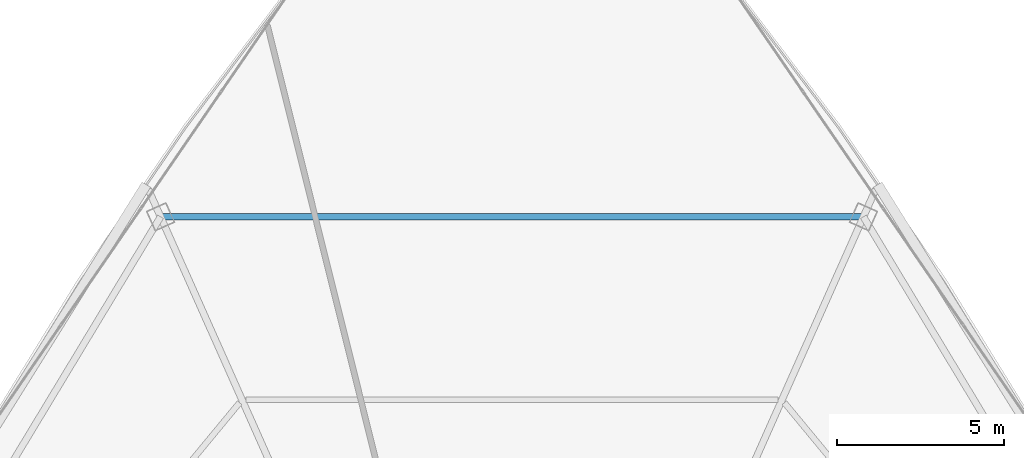
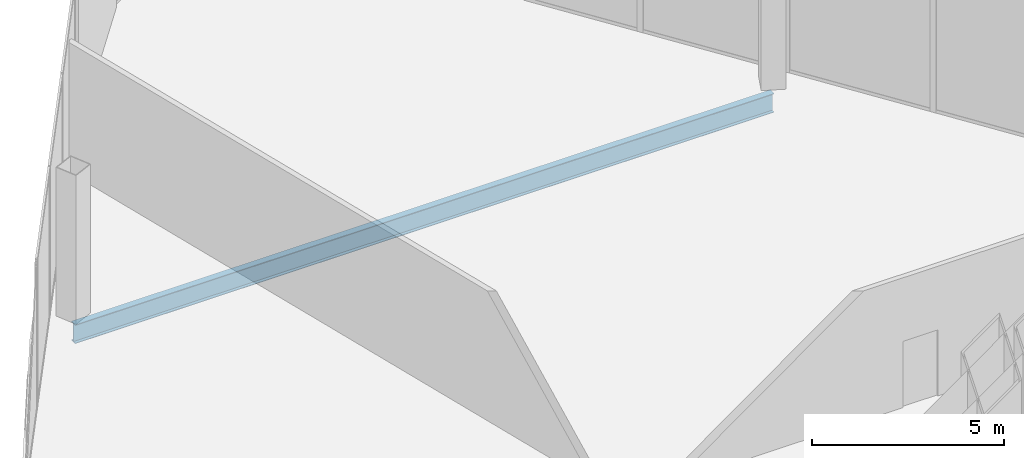
# One storey, part 24 of 32: 1 beam.
"""IFC4 building model written with IfcOpenShell, lengths in metres."""

from ifc_helpers import new_model, si_unit, direction, frame, origin, origin_2d, place, context, subcontext, project, spatial, i_section, extrude, source, transform, mapped, material, material_profile, profile_set, type_object, element, save


model = new_model("IFC4")

# Units and contexts
model_context = context("Model", 3, precision=1e-05, world=origin(), true_north=direction((0.0, 1.0)))
body_context = subcontext(model_context, "Body", "Model", "MODEL_VIEW")
ifc_project = project(units=[si_unit("LENGTHUNIT", "METRE"), si_unit("AREAUNIT", "SQUARE_METRE"), si_unit("VOLUMEUNIT", "CUBIC_METRE"), si_unit("PLANEANGLEUNIT", "RADIAN"), si_unit("MASSUNIT", "GRAM", prefix="KILO"), si_unit("THERMODYNAMICTEMPERATUREUNIT", "KELVIN"), si_unit("POWERUNIT", "WATT")], contexts=[model_context])

# Site, building, storey
site_placement = place(None, origin())
site = spatial("IfcSite", under=ifc_project, at=site_placement, CompositionType="ELEMENT")
building_placement = place(site_placement, origin())
building = spatial("IfcBuilding", under=site, at=building_placement, Name="Yunzhuo Pagoda Commons", CompositionType="ELEMENT")
storey_placement = place(building_placement, frame((0.0, 0.0, 396.760009765625)))
storey = spatial("IfcBuildingStorey", under=building, at=storey_placement, Name="L98", CompositionType="ELEMENT", Elevation=396.760009765625)

# Beam
ifc_material = material(Name="Structural steel Q355B", Category="steel")
ifc_material_profile = material_profile(ifc_material, i_section(OverallWidth=0.199951171875, OverallDepth=0.60009765625, WebThickness=0.010986328125, FlangeThickness=0.01708984375, at=origin_2d()), Name="Structural steel Q355B")
ifc_profile_set = profile_set([ifc_material_profile], Name="Structural steel Q355B")
beam_type = type_object("IfcBeamType", Name="B-RG3 Beam HN 600x200x11x17", PredefinedType="BEAM", material=ifc_profile_set)
shared_shape = source(origin(), body_context, "Body", "SweptSolid", [
    extrude(i_section(OverallWidth=0.199951171875, OverallDepth=0.60009765625, WebThickness=0.010986328125, FlangeThickness=0.01708984375, at=origin_2d()), origin(), (0.0, 0.0, 1.0), 20.99755859375),
])
beam_placement = place(storey_placement, frame((58.498779296875, 57.281005859375, -0.580078125), z_axis=(-1.0, 0.0, 0.0), x_axis=(0.0, -1.0, 0.0)))
element("IfcBeam", 1, at=beam_placement, inside=storey, type_object=beam_type, Name="L98 column-ring beam 8", PredefinedType="BEAM", context=body_context, shape_type="MappedRepresentation", body=[
    mapped(shared_shape, transform((0.0, 0.0, 0.0), scale=1.0)),
])

save(model, "model.ifc")
